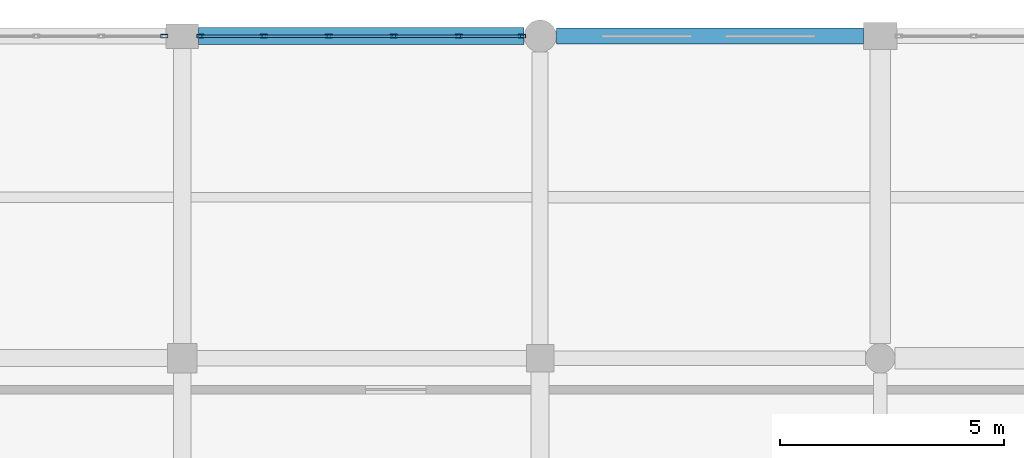
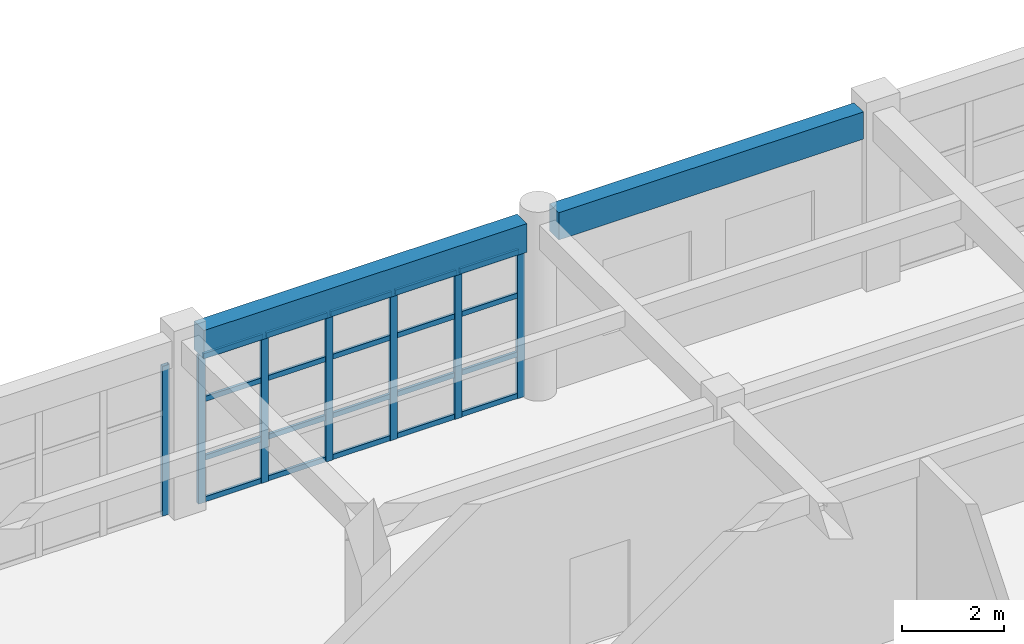
# One storey, part 109 of 160: 27 members, 2 beams, 2 elements without a shape of their own.
"""IFC4 building model written with IfcOpenShell, lengths in metres."""

from ifc_helpers import new_model, si_unit, direction, frame, origin, origin_2d, place, context, subcontext, project, spatial, rectangle, hollow_rectangle, extrude, material, material_profile, profile_set, type_object, element, aggregate, save


model = new_model("IFC4")

# Units and contexts
model_context = context("Model", 3, precision=1e-05, world=origin(), true_north=direction((0.0, 1.0)))
body_context = subcontext(model_context, "Body", "Model", "MODEL_VIEW")
ifc_project = project(units=[si_unit("LENGTHUNIT", "METRE"), si_unit("AREAUNIT", "SQUARE_METRE"), si_unit("VOLUMEUNIT", "CUBIC_METRE"), si_unit("PLANEANGLEUNIT", "RADIAN"), si_unit("MASSUNIT", "GRAM", prefix="KILO")], contexts=[model_context])

# Site, building, storey
site_placement = place(None, origin())
site = spatial("IfcSite", under=ifc_project, at=site_placement, CompositionType="ELEMENT")
building_placement = place(site_placement, origin())
building = spatial("IfcBuilding", under=site, at=building_placement, Name="Kharva Crest Polytechnic", CompositionType="ELEMENT")
storey_placement = place(building_placement, frame((0.0, 0.0, 4.5)))
storey = spatial("IfcBuildingStorey", under=building, at=storey_placement, Name="L01", CompositionType="ELEMENT", Elevation=4.5)

# Curtain wall, members
ifc_material_1 = material(Name="Tempered insulated glass", Category="glass")
curtain_wall_type = type_object("IfcCurtainWallType", Name="CW-SYS-COURT", PredefinedType="USERDEFINED", material=ifc_material_1)
curtain_wall_1_placement = place(storey_placement, origin())
curtain_wall_1 = element("IfcCurtainWall", 1, at=curtain_wall_1_placement, inside=storey, type_object=curtain_wall_type, Name="L01 Glazed Curtain Wall CW-069", ObjectType="CURTAIN WALL", PredefinedType="USERDEFINED")
ifc_material_2 = material(Name="Steel S355", Category="steel")
ifc_material_profile_1 = material_profile(ifc_material_2, hollow_rectangle(XDim=0.080078125, YDim=0.159912109375, WallThickness=0.0048828125, at=origin_2d()), Name="RHS 160X80X5.0")
ifc_profile_set_1 = profile_set([ifc_material_profile_1], Name="Steel S355")
member_type_1 = type_object("IfcMemberType", Name="CWM-RHS160X80", PredefinedType="MULLION", material=ifc_profile_set_1)
member_1_placement = place(storey_placement, frame((168.39501953125, 122.0, 0.0), z_axis=(0.0, 0.0, 1.0), x_axis=(0.0, -1.0, 0.0)))
member_1 = element("IfcMember", 2, at=member_1_placement, type_object=member_type_1, Name="CW-069 mullion 1", PredefinedType="MULLION", context=body_context, shape_type="SweptSolid", body=[
    extrude(hollow_rectangle(XDim=0.080078125, YDim=0.159912109375, WallThickness=0.0048828125, at=origin_2d()), origin(), (0.0, 0.0, 1.0), 3.5400390625),
])
member_2_placement = place(storey_placement, frame((166.98095703125, 122.0, 0.0), z_axis=(0.0, 0.0, 1.0), x_axis=(0.0, -1.0, 0.0)))
member_2 = element("IfcMember", 3, at=member_2_placement, type_object=member_type_1, Name="CW-069 mullion 2", PredefinedType="MULLION", context=body_context, shape_type="SweptSolid", body=[
    extrude(hollow_rectangle(XDim=0.080078125, YDim=0.159912109375, WallThickness=0.0048828125, at=origin_2d()), origin(), (0.0, 0.0, 1.0), 3.5400390625),
])
member_3_placement = place(storey_placement, frame((165.527099609375, 122.0, 0.0), z_axis=(0.0, 0.0, 1.0), x_axis=(0.0, -1.0, 0.0)))
member_3 = element("IfcMember", 4, at=member_3_placement, type_object=member_type_1, Name="CW-069 mullion 3", PredefinedType="MULLION", context=body_context, shape_type="SweptSolid", body=[
    extrude(hollow_rectangle(XDim=0.080078125, YDim=0.159912109375, WallThickness=0.0048828125, at=origin_2d()), origin(), (0.0, 0.0, 1.0), 3.5400390625),
])
member_4_placement = place(storey_placement, frame((164.072998046875, 122.0, 0.0), z_axis=(0.0, 0.0, 1.0), x_axis=(0.0, -1.0, 0.0)))
member_4 = element("IfcMember", 5, at=member_4_placement, type_object=member_type_1, Name="CW-069 mullion 4", PredefinedType="MULLION", context=body_context, shape_type="SweptSolid", body=[
    extrude(hollow_rectangle(XDim=0.080078125, YDim=0.159912109375, WallThickness=0.0048828125, at=origin_2d()), origin(), (0.0, 0.0, 1.0), 3.5400390625),
])
member_5_placement = place(storey_placement, frame((162.618896484375, 122.0, 0.0), z_axis=(0.0, 0.0, 1.0), x_axis=(0.0, -1.0, 0.0)))
member_5 = element("IfcMember", 6, at=member_5_placement, type_object=member_type_1, Name="CW-069 mullion 5", PredefinedType="MULLION", context=body_context, shape_type="SweptSolid", body=[
    extrude(hollow_rectangle(XDim=0.080078125, YDim=0.159912109375, WallThickness=0.0048828125, at=origin_2d()), origin(), (0.0, 0.0, 1.0), 3.5400390625),
])
member_6_placement = place(storey_placement, frame((161.205078125, 122.0, 0.0), z_axis=(0.0, 0.0, 1.0), x_axis=(0.0, -1.0, 0.0)))
member_6 = element("IfcMember", 7, at=member_6_placement, type_object=member_type_1, Name="CW-069 mullion 6", PredefinedType="MULLION", context=body_context, shape_type="SweptSolid", body=[
    extrude(hollow_rectangle(XDim=0.080078125, YDim=0.159912109375, WallThickness=0.0048828125, at=origin_2d()), origin(), (0.0, 0.0, 1.0), 3.5400390625),
])

# Curtain wall, member
curtain_wall_2_placement = place(storey_placement, origin())
curtain_wall_2 = element("IfcCurtainWall", 8, at=curtain_wall_2_placement, inside=storey, type_object=curtain_wall_type, Name="L01 Glazed Curtain Wall CW-070", ObjectType="CURTAIN WALL", PredefinedType="USERDEFINED")
member_7_placement = place(storey_placement, frame((160.39501953125, 122.0, 0.0), z_axis=(0.0, 0.0, 1.0), x_axis=(0.0, -1.0, 0.0)))
member_7 = element("IfcMember", 9, at=member_7_placement, type_object=member_type_1, Name="CW-070 mullion 1", PredefinedType="MULLION", context=body_context, shape_type="SweptSolid", body=[
    extrude(hollow_rectangle(XDim=0.080078125, YDim=0.159912109375, WallThickness=0.0048828125, at=origin_2d()), origin(), (0.0, 0.0, 1.0), 3.570068359375),
])
aggregate(curtain_wall_2, [member_7])

# Member
ifc_material_profile_2 = material_profile(ifc_material_2, hollow_rectangle(XDim=0.06005859375, YDim=0.1201171875, WallThickness=0.00390625, at=origin_2d()), Name="RHS 120X60X4.0")
ifc_profile_set_2 = profile_set([ifc_material_profile_2], Name="Steel S355")
member_type_2 = type_object("IfcMemberType", Name="CWT-RHS120X60", PredefinedType="USERDEFINED", material=ifc_profile_set_2)
member_8_placement = place(storey_placement, frame((168.35498046875, 122.0, 0.06005859375), z_axis=(-1.0, 0.0, 0.0), x_axis=(0.0, -1.0, 0.0)))
member_8 = element("IfcMember", 10, at=member_8_placement, type_object=member_type_2, Name="CW-069 transom 1.1", ObjectType="TRANSOM", PredefinedType="USERDEFINED", context=body_context, shape_type="SweptSolid", body=[
    extrude(hollow_rectangle(XDim=0.06005859375, YDim=0.1201171875, WallThickness=0.00390625, at=origin_2d()), origin(), (0.0, 0.0, 1.0), 1.333984375),
])

member_9_placement = place(storey_placement, frame((168.35498046875, 122.0, 1.050048828125), z_axis=(-1.0, 0.0, 0.0), x_axis=(0.0, -1.0, 0.0)))
member_9 = element("IfcMember", 11, at=member_9_placement, type_object=member_type_2, Name="CW-069 transom 1.2", ObjectType="TRANSOM", PredefinedType="USERDEFINED", context=body_context, shape_type="SweptSolid", body=[
    extrude(hollow_rectangle(XDim=0.06005859375, YDim=0.1201171875, WallThickness=0.00390625, at=origin_2d()), origin(), (0.0, 0.0, 1.0), 1.333984375),
])

member_10_placement = place(storey_placement, frame((168.35498046875, 122.0, 2.449951171875), z_axis=(-1.0, 0.0, 0.0), x_axis=(0.0, -1.0, 0.0)))
member_10 = element("IfcMember", 12, at=member_10_placement, type_object=member_type_2, Name="CW-069 transom 1.3", ObjectType="TRANSOM", PredefinedType="USERDEFINED", context=body_context, shape_type="SweptSolid", body=[
    extrude(hollow_rectangle(XDim=0.06005859375, YDim=0.1201171875, WallThickness=0.00390625, at=origin_2d()), origin(), (0.0, 0.0, 1.0), 1.333984375),
])

member_11_placement = place(storey_placement, frame((168.35498046875, 122.0, 3.47998046875), z_axis=(-1.0, 0.0, 0.0), x_axis=(0.0, -1.0, 0.0)))
member_11 = element("IfcMember", 13, at=member_11_placement, type_object=member_type_2, Name="CW-069 transom 1.4", ObjectType="TRANSOM", PredefinedType="USERDEFINED", context=body_context, shape_type="SweptSolid", body=[
    extrude(hollow_rectangle(XDim=0.06005859375, YDim=0.1201171875, WallThickness=0.00390625, at=origin_2d()), origin(), (0.0, 0.0, 1.0), 1.333984375),
])

member_12_placement = place(storey_placement, frame((166.94091796875, 122.0, 0.06005859375), z_axis=(-1.0, 0.0, 0.0), x_axis=(0.0, -1.0, 0.0)))
member_12 = element("IfcMember", 14, at=member_12_placement, type_object=member_type_2, Name="CW-069 transom 2.1", ObjectType="TRANSOM", PredefinedType="USERDEFINED", context=body_context, shape_type="SweptSolid", body=[
    extrude(hollow_rectangle(XDim=0.06005859375, YDim=0.1201171875, WallThickness=0.00390625, at=origin_2d()), origin(), (0.0, 0.0, 1.0), 1.3740234375),
])

member_13_placement = place(storey_placement, frame((166.94091796875, 122.0, 1.050048828125), z_axis=(-1.0, 0.0, 0.0), x_axis=(0.0, -1.0, 0.0)))
member_13 = element("IfcMember", 15, at=member_13_placement, type_object=member_type_2, Name="CW-069 transom 2.2", ObjectType="TRANSOM", PredefinedType="USERDEFINED", context=body_context, shape_type="SweptSolid", body=[
    extrude(hollow_rectangle(XDim=0.06005859375, YDim=0.1201171875, WallThickness=0.00390625, at=origin_2d()), origin(), (0.0, 0.0, 1.0), 1.3740234375),
])

member_14_placement = place(storey_placement, frame((166.94091796875, 122.0, 2.449951171875), z_axis=(-1.0, 0.0, 0.0), x_axis=(0.0, -1.0, 0.0)))
member_14 = element("IfcMember", 16, at=member_14_placement, type_object=member_type_2, Name="CW-069 transom 2.3", ObjectType="TRANSOM", PredefinedType="USERDEFINED", context=body_context, shape_type="SweptSolid", body=[
    extrude(hollow_rectangle(XDim=0.06005859375, YDim=0.1201171875, WallThickness=0.00390625, at=origin_2d()), origin(), (0.0, 0.0, 1.0), 1.3740234375),
])

member_15_placement = place(storey_placement, frame((166.94091796875, 122.0, 3.47998046875), z_axis=(-1.0, 0.0, 0.0), x_axis=(0.0, -1.0, 0.0)))
member_15 = element("IfcMember", 17, at=member_15_placement, type_object=member_type_2, Name="CW-069 transom 2.4", ObjectType="TRANSOM", PredefinedType="USERDEFINED", context=body_context, shape_type="SweptSolid", body=[
    extrude(hollow_rectangle(XDim=0.06005859375, YDim=0.1201171875, WallThickness=0.00390625, at=origin_2d()), origin(), (0.0, 0.0, 1.0), 1.3740234375),
])

member_16_placement = place(storey_placement, frame((165.487060546875, 122.0, 0.06005859375), z_axis=(-1.0, 0.0, 0.0), x_axis=(0.0, -1.0, 0.0)))
member_16 = element("IfcMember", 18, at=member_16_placement, type_object=member_type_2, Name="CW-069 transom 3.1", ObjectType="TRANSOM", PredefinedType="USERDEFINED", context=body_context, shape_type="SweptSolid", body=[
    extrude(hollow_rectangle(XDim=0.06005859375, YDim=0.1201171875, WallThickness=0.00390625, at=origin_2d()), origin(), (0.0, 0.0, 1.0), 1.3740234375),
])

member_17_placement = place(storey_placement, frame((165.487060546875, 122.0, 1.050048828125), z_axis=(-1.0, 0.0, 0.0), x_axis=(0.0, -1.0, 0.0)))
member_17 = element("IfcMember", 19, at=member_17_placement, type_object=member_type_2, Name="CW-069 transom 3.2", ObjectType="TRANSOM", PredefinedType="USERDEFINED", context=body_context, shape_type="SweptSolid", body=[
    extrude(hollow_rectangle(XDim=0.06005859375, YDim=0.1201171875, WallThickness=0.00390625, at=origin_2d()), origin(), (0.0, 0.0, 1.0), 1.3740234375),
])

member_18_placement = place(storey_placement, frame((165.487060546875, 122.0, 2.449951171875), z_axis=(-1.0, 0.0, 0.0), x_axis=(0.0, -1.0, 0.0)))
member_18 = element("IfcMember", 20, at=member_18_placement, type_object=member_type_2, Name="CW-069 transom 3.3", ObjectType="TRANSOM", PredefinedType="USERDEFINED", context=body_context, shape_type="SweptSolid", body=[
    extrude(hollow_rectangle(XDim=0.06005859375, YDim=0.1201171875, WallThickness=0.00390625, at=origin_2d()), origin(), (0.0, 0.0, 1.0), 1.3740234375),
])

member_19_placement = place(storey_placement, frame((165.487060546875, 122.0, 3.47998046875), z_axis=(-1.0, 0.0, 0.0), x_axis=(0.0, -1.0, 0.0)))
member_19 = element("IfcMember", 21, at=member_19_placement, type_object=member_type_2, Name="CW-069 transom 3.4", ObjectType="TRANSOM", PredefinedType="USERDEFINED", context=body_context, shape_type="SweptSolid", body=[
    extrude(hollow_rectangle(XDim=0.06005859375, YDim=0.1201171875, WallThickness=0.00390625, at=origin_2d()), origin(), (0.0, 0.0, 1.0), 1.3740234375),
])

member_20_placement = place(storey_placement, frame((164.032958984375, 122.0, 0.06005859375), z_axis=(-1.0, 0.0, 0.0), x_axis=(0.0, -1.0, 0.0)))
member_20 = element("IfcMember", 22, at=member_20_placement, type_object=member_type_2, Name="CW-069 transom 4.1", ObjectType="TRANSOM", PredefinedType="USERDEFINED", context=body_context, shape_type="SweptSolid", body=[
    extrude(hollow_rectangle(XDim=0.06005859375, YDim=0.1201171875, WallThickness=0.00390625, at=origin_2d()), origin(), (0.0, 0.0, 1.0), 1.3740234375),
])

member_21_placement = place(storey_placement, frame((164.032958984375, 122.0, 1.050048828125), z_axis=(-1.0, 0.0, 0.0), x_axis=(0.0, -1.0, 0.0)))
member_21 = element("IfcMember", 23, at=member_21_placement, type_object=member_type_2, Name="CW-069 transom 4.2", ObjectType="TRANSOM", PredefinedType="USERDEFINED", context=body_context, shape_type="SweptSolid", body=[
    extrude(hollow_rectangle(XDim=0.06005859375, YDim=0.1201171875, WallThickness=0.00390625, at=origin_2d()), origin(), (0.0, 0.0, 1.0), 1.3740234375),
])

member_22_placement = place(storey_placement, frame((164.032958984375, 122.0, 2.449951171875), z_axis=(-1.0, 0.0, 0.0), x_axis=(0.0, -1.0, 0.0)))
member_22 = element("IfcMember", 24, at=member_22_placement, type_object=member_type_2, Name="CW-069 transom 4.3", ObjectType="TRANSOM", PredefinedType="USERDEFINED", context=body_context, shape_type="SweptSolid", body=[
    extrude(hollow_rectangle(XDim=0.06005859375, YDim=0.1201171875, WallThickness=0.00390625, at=origin_2d()), origin(), (0.0, 0.0, 1.0), 1.3740234375),
])

member_23_placement = place(storey_placement, frame((164.032958984375, 122.0, 3.47998046875), z_axis=(-1.0, 0.0, 0.0), x_axis=(0.0, -1.0, 0.0)))
member_23 = element("IfcMember", 25, at=member_23_placement, type_object=member_type_2, Name="CW-069 transom 4.4", ObjectType="TRANSOM", PredefinedType="USERDEFINED", context=body_context, shape_type="SweptSolid", body=[
    extrude(hollow_rectangle(XDim=0.06005859375, YDim=0.1201171875, WallThickness=0.00390625, at=origin_2d()), origin(), (0.0, 0.0, 1.0), 1.3740234375),
])

member_24_placement = place(storey_placement, frame((162.5791015625, 122.0, 0.06005859375), z_axis=(-1.0, 0.0, 0.0), x_axis=(0.0, -1.0, 0.0)))
member_24 = element("IfcMember", 26, at=member_24_placement, type_object=member_type_2, Name="CW-069 transom 5.1", ObjectType="TRANSOM", PredefinedType="USERDEFINED", context=body_context, shape_type="SweptSolid", body=[
    extrude(hollow_rectangle(XDim=0.06005859375, YDim=0.1201171875, WallThickness=0.00390625, at=origin_2d()), origin(), (0.0, 0.0, 1.0), 1.333984375),
])

member_25_placement = place(storey_placement, frame((162.5791015625, 122.0, 1.050048828125), z_axis=(-1.0, 0.0, 0.0), x_axis=(0.0, -1.0, 0.0)))
member_25 = element("IfcMember", 27, at=member_25_placement, type_object=member_type_2, Name="CW-069 transom 5.2", ObjectType="TRANSOM", PredefinedType="USERDEFINED", context=body_context, shape_type="SweptSolid", body=[
    extrude(hollow_rectangle(XDim=0.06005859375, YDim=0.1201171875, WallThickness=0.00390625, at=origin_2d()), origin(), (0.0, 0.0, 1.0), 1.333984375),
])

member_26_placement = place(storey_placement, frame((162.5791015625, 122.0, 2.449951171875), z_axis=(-1.0, 0.0, 0.0), x_axis=(0.0, -1.0, 0.0)))
member_26 = element("IfcMember", 28, at=member_26_placement, type_object=member_type_2, Name="CW-069 transom 5.3", ObjectType="TRANSOM", PredefinedType="USERDEFINED", context=body_context, shape_type="SweptSolid", body=[
    extrude(hollow_rectangle(XDim=0.06005859375, YDim=0.1201171875, WallThickness=0.00390625, at=origin_2d()), origin(), (0.0, 0.0, 1.0), 1.333984375),
])

member_27_placement = place(storey_placement, frame((162.5791015625, 122.0, 3.47998046875), z_axis=(-1.0, 0.0, 0.0), x_axis=(0.0, -1.0, 0.0)))
member_27 = element("IfcMember", 29, at=member_27_placement, type_object=member_type_2, Name="CW-069 transom 5.4", ObjectType="TRANSOM", PredefinedType="USERDEFINED", context=body_context, shape_type="SweptSolid", body=[
    extrude(hollow_rectangle(XDim=0.06005859375, YDim=0.1201171875, WallThickness=0.00390625, at=origin_2d()), origin(), (0.0, 0.0, 1.0), 1.333984375),
])

aggregate(curtain_wall_1, [member_1, member_2, member_3, member_4, member_5, member_6, member_8, member_9, member_10, member_11, member_12, member_13, member_14, member_15, member_16, member_17, member_18, member_19, member_20, member_21, member_22, member_23, member_24, member_25, member_26, member_27])

# Beams
ifc_material_3 = material(Name="Concrete C35/45", Category="concrete")
ifc_material_profile_3 = material_profile(ifc_material_3, rectangle(XDim=0.360107421875, YDim=0.64990234375, at=origin_2d()), Name="RECT 360 X 650")
ifc_profile_set_3 = profile_set([ifc_material_profile_3], Name="Concrete C35/45")
beam_type_1 = type_object("IfcBeamType", Name="SP-RC-360X650", PredefinedType="SPANDREL", material=ifc_profile_set_3)
beam_1_placement = place(storey_placement, frame((169.159912109375, 122.0, 3.89501953125), z_axis=(1.0, 0.0, 0.0), x_axis=(0.0, 1.0, 0.0)))
element("IfcBeam", 30, at=beam_1_placement, inside=storey, type_object=beam_type_1, Name="L01 Beam S/22-23", PredefinedType="SPANDREL", context=body_context, shape_type="SweptSolid", body=[
    extrude(rectangle(XDim=0.360107421875, YDim=0.64990234375, at=origin_2d()), origin(), (0.0, 0.0, 1.0), 6.864990234375),
])
ifc_material_profile_4 = material_profile(ifc_material_3, rectangle(XDim=0.3798828125, YDim=0.679931640625, at=origin_2d()), Name="RECT 380 X 680")
ifc_profile_set_4 = profile_set([ifc_material_profile_4], Name="Concrete C35/45")
beam_type_2 = type_object("IfcBeamType", Name="SP-RC-380X680", PredefinedType="SPANDREL", material=ifc_profile_set_4)
beam_2_placement = place(storey_placement, frame((161.159912109375, 122.0, 3.8798828125), z_axis=(1.0, 0.0, 0.0), x_axis=(0.0, 1.0, 0.0)))
element("IfcBeam", 31, at=beam_2_placement, inside=storey, type_object=beam_type_2, Name="L01 Beam S/21-22", PredefinedType="SPANDREL", context=body_context, shape_type="SweptSolid", body=[
    extrude(rectangle(XDim=0.3798828125, YDim=0.679931640625, at=origin_2d()), origin(), (0.0, 0.0, 1.0), 7.280029296875),
])

save(model, "model.ifc")
